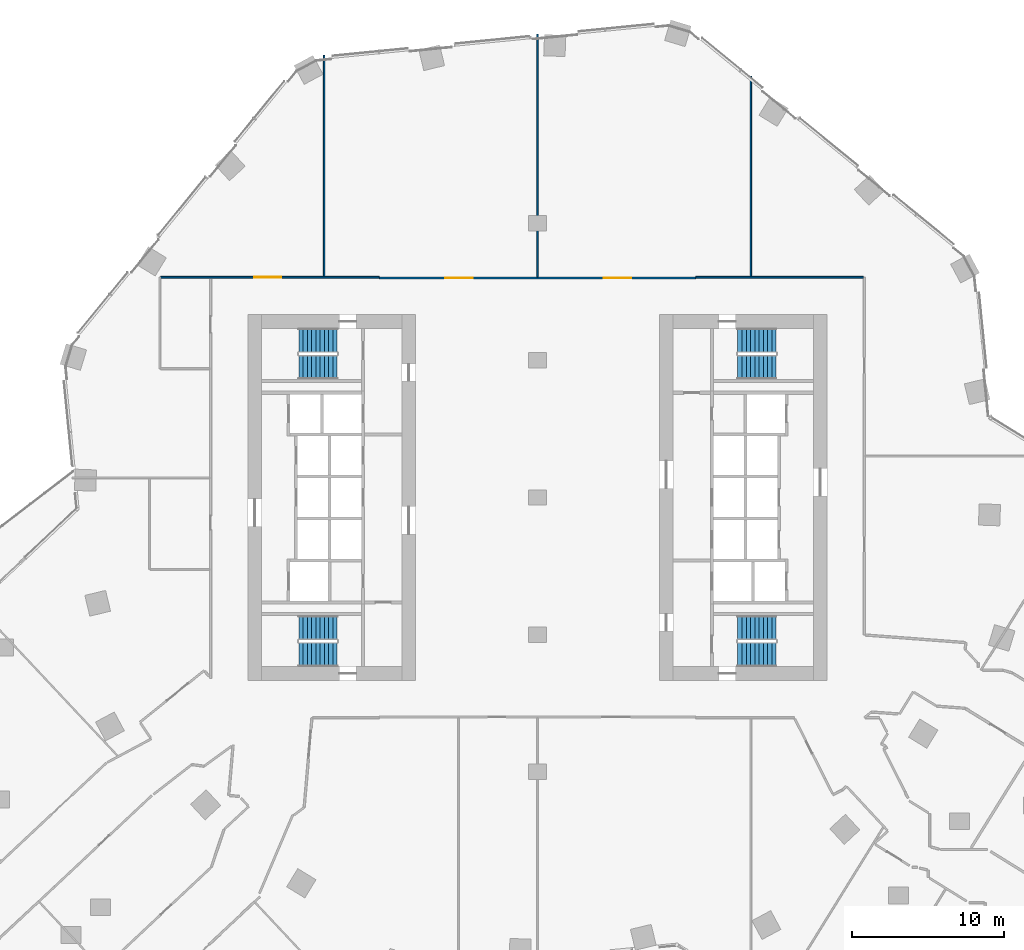
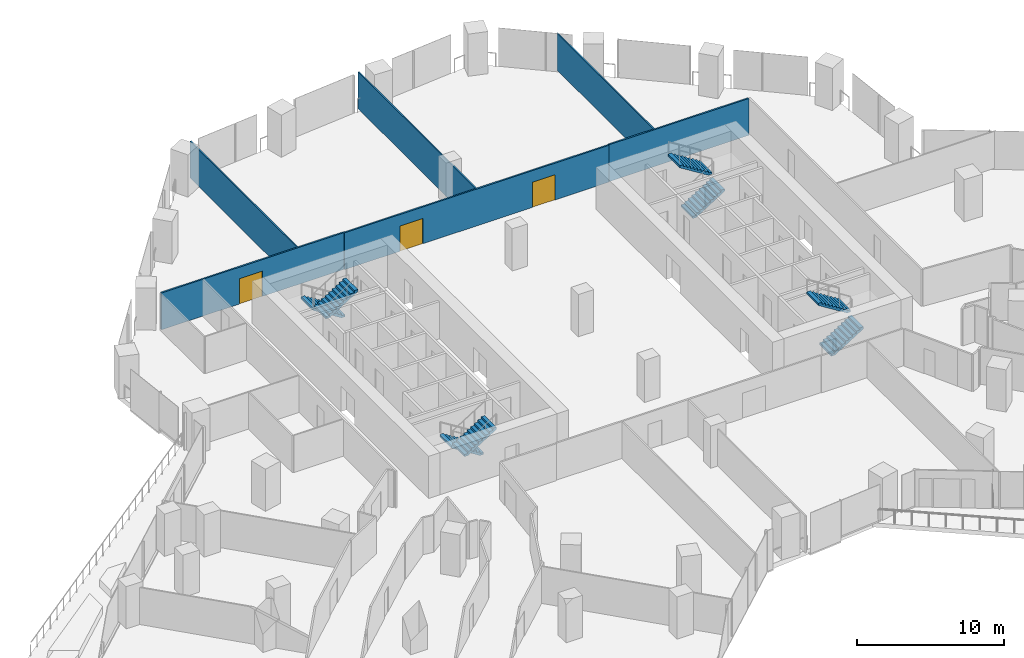
# One storey, part 29 of 34: 8 stair flights, 6 walls, 3 doors, 3 openings, 4 elements without a shape of their own.
"""IFC4 building model written with IfcOpenShell, lengths in metres."""

import ifcopenshell
import ifcopenshell.guid

model = None  # the IFC model being written
_history = None  # IfcOwnerHistory: only IFC2X3 demands one
_inside = {}  # id of a spatial element -> (the spatial element, [elements in it])
_under = {}  # id of a project, library or spatial element -> (it, [spatial elements below it])
_declared = {}  # id of a project -> (the project, [libraries it declares])
_typed = {}  # id of a type object -> (the type object, [elements of that type])
_made_of = {}  # id of a material, layer set ... -> (it, [elements and type objects made of it])


def new_model(schema):
    """Start an empty IFC model of exactly this schema.

    Asked for "IFC4X3", IfcOpenShell would pick the latest addendum, in which some entities
    have other attributes; the version numbers below select the first issue.
    IFC2X3 requires an IfcOwnerHistory on every rooted entity: one is made here for all.
    """
    global model, _history
    if schema == "IFC4X3":
        model = ifcopenshell.file(schema_version=(4, 3, 0, 0))
    else:
        model = ifcopenshell.file(schema=schema)
    _inside.clear()
    _under.clear()
    _declared.clear()
    _typed.clear()
    _made_of.clear()
    _history = None
    if model.schema == "IFC2X3":
        org = make("IfcOrganization", Name="unknown")
        user = make(
            "IfcPersonAndOrganization",
            ThePerson=make("IfcPerson", FamilyName="unknown"),
            TheOrganization=org,
        )
        app = make(
            "IfcApplication",
            ApplicationDeveloper=org,
            Version="unknown",
            ApplicationFullName="unknown",
            ApplicationIdentifier="unknown",
        )
        _history = make(
            "IfcOwnerHistory",
            OwningUser=user,
            OwningApplication=app,
            ChangeAction="ADDED",
            CreationDate=0,
        )
    return model


def make(cls, **values):
    """One entity of the class cls with the attributes given. An attribute that is None is left unset."""
    return model.create_entity(
        cls, **{name: value for name, value in values.items() if value is not None}
    )


def rooted(cls, **values):
    """An entity with a GlobalId (a new one), such as an element, a storey or a relation."""
    return make(cls, GlobalId=ifcopenshell.guid.new(), OwnerHistory=_history, **values)


def si_unit(unit_type, name, prefix=None):
    """IfcSIUnit, for example si_unit("LENGTHUNIT", "METRE", prefix="MILLI")."""
    return make("IfcSIUnit", UnitType=unit_type, Prefix=prefix, Name=name)


def assignment(units):
    """IfcUnitAssignment: the units of a project."""
    return None if units is None else make("IfcUnitAssignment", Units=units)


def point(xyz):
    """IfcCartesianPoint."""
    return None if xyz is None else make("IfcCartesianPoint", Coordinates=xyz)


def direction(xyz):
    """IfcDirection."""
    return None if xyz is None else make("IfcDirection", DirectionRatios=xyz)


def frame(location, z_axis=None, x_axis=None):
    """IfcAxis2Placement3D, a coordinate frame: its origin and axes. An axis left out is left unset."""
    return make(
        "IfcAxis2Placement3D",
        Location=point(location),
        Axis=direction(z_axis),
        RefDirection=direction(x_axis),
    )


def frame_2d(location, x_axis=None):
    """IfcAxis2Placement2D, a coordinate frame in the plane: its origin and x axis."""
    return make(
        "IfcAxis2Placement2D", Location=point(location), RefDirection=direction(x_axis)
    )


def origin():
    """The frame at (0, 0, 0) with its axes left unset."""
    return frame((0.0, 0.0, 0.0))


def place(relative_to, where):
    """IfcLocalPlacement: puts the frame where relative to a parent placement (None: the world)."""
    return make(
        "IfcLocalPlacement", PlacementRelTo=relative_to, RelativePlacement=where
    )


def context(
    kind, dimensions, precision=None, world=None, true_north=None, identifier=None
):
    """IfcGeometricRepresentationContext, for example the 3D "Model" context."""
    return make(
        "IfcGeometricRepresentationContext",
        ContextIdentifier=identifier,
        ContextType=kind,
        CoordinateSpaceDimension=dimensions,
        Precision=precision,
        WorldCoordinateSystem=world,
        TrueNorth=true_north,
    )


def subcontext(parent, identifier, kind, view, scale=None):
    """IfcGeometricRepresentationSubContext, for example "Body" below "Model"."""
    return make(
        "IfcGeometricRepresentationSubContext",
        ContextIdentifier=identifier,
        ContextType=kind,
        ParentContext=parent,
        TargetScale=scale,
        TargetView=view,
    )


def project(units=None, contexts=None):
    """IfcProject with its units and contexts."""
    return rooted(
        "IfcProject",
        Name="project",
        RepresentationContexts=contexts,
        UnitsInContext=assignment(units),
    )


def spatial(cls, under=None, at=None, **own):
    """A site, building, storey or space (cls), placed at a placement, below another one or the project."""
    s = rooted(cls, ObjectPlacement=at, **own)
    if under is not None:
        _under.setdefault(under.id(), (under, []))[1].append(s)
    return s


def polyline(points):
    """IfcPolyline through the points."""
    return make("IfcPolyline", Points=[point(p) for p in points])


def profile(cls, at=None, kind="AREA", **sizes):
    """A parametric profile (cls). Its sizes go by their IFC names, for example OverallWidth=200.0."""
    return make(cls, ProfileType=kind, Position=at, **sizes)


def rectangle(**sizes):
    """IfcRectangleProfileDef."""
    return profile("IfcRectangleProfileDef", **sizes)


def outline(outer, holes=None, kind="AREA"):
    """IfcArbitraryClosedProfileDef: a profile drawn as a closed curve; with holes, ...WithVoids."""
    if holes is None:
        return make("IfcArbitraryClosedProfileDef", ProfileType=kind, OuterCurve=outer)
    return make(
        "IfcArbitraryProfileDefWithVoids",
        ProfileType=kind,
        OuterCurve=outer,
        InnerCurves=holes,
    )


def extrude(swept, where, along, depth):
    """IfcExtrudedAreaSolid: the profile swept, set in the frame where, extruded along a direction by depth."""
    return make(
        "IfcExtrudedAreaSolid",
        SweptArea=swept,
        Position=where,
        ExtrudedDirection=direction(along),
        Depth=depth,
    )


def shape(context_of_items, identifier, shape_type, items):
    """IfcShapeRepresentation: the items that make up one representation, for example the "Body"."""
    return make(
        "IfcShapeRepresentation",
        ContextOfItems=context_of_items,
        RepresentationIdentifier=identifier,
        RepresentationType=shape_type,
        Items=items,
    )


def material(Name=None, Category=None):
    """IfcMaterial."""
    return make("IfcMaterial", Name=Name, Category=Category)


def layer(
    of_material, thickness, ventilated=None, Name=None, Category=None, Priority=None
):
    """IfcMaterialLayer: one layer of a wall or slab, of a material (None: an air gap)."""
    return make(
        "IfcMaterialLayer",
        Material=of_material,
        LayerThickness=thickness,
        IsVentilated=ventilated,
        Name=Name,
        Category=Category,
        Priority=Priority,
    )


def layer_set(layers, Name=None):
    """IfcMaterialLayerSet."""
    return make("IfcMaterialLayerSet", MaterialLayers=layers, LayerSetName=Name)


def made_of(thing, what):
    """Note that an element or type object is made of a material, layer set ...; save() writes the relation."""
    if what is not None:
        _made_of.setdefault(what.id(), (what, []))[1].append(thing)
    return thing


def type_object(cls, material=None, **own):
    """A type object (cls), such as IfcWallType, which elements share."""
    return made_of(rooted(cls, **own), material)


def element(
    cls,
    number,
    at=None,
    inside=None,
    cuts=None,
    type_object=None,
    material=None,
    context=None,
    identifier="Body",
    shape_type=None,
    held_by="IfcProductDefinitionShape",
    body=None,
    shapes=None,
    **own,
):
    """One element of the class cls, such as IfcWall. Its Tag is "e" and its number.

    at: its placement. inside: the storey or other place that contains it. cuts: it is an
    opening in that element (IfcRelVoidsElement). A single representation is given by context,
    identifier, shape_type and body (its items); several are given by shapes. held_by: the class
    of the entity that holds the representations. save() writes the other relations.
    """
    e = rooted(cls, Tag="e%d" % number, ObjectPlacement=at, **own)
    if body is not None:
        shapes = [shape(context, identifier, shape_type, body)]
    if shapes is not None:
        e.Representation = make(held_by, Representations=shapes)
    if inside is not None:
        _inside.setdefault(inside.id(), (inside, []))[1].append(e)
    if cuts is not None:
        rooted(
            "IfcRelVoidsElement", RelatingBuildingElement=cuts, RelatedOpeningElement=e
        )
    if type_object is not None:
        _typed.setdefault(type_object.id(), (type_object, []))[1].append(e)
    return made_of(e, material)


def fill(opening, filler):
    """IfcRelFillsElement: the door or window that sits in an opening."""
    return rooted(
        "IfcRelFillsElement",
        RelatingOpeningElement=opening,
        RelatedBuildingElement=filler,
    )


def aggregate(whole, parts):
    """IfcRelAggregates: a whole, such as a stair, and the parts it consists of."""
    return rooted("IfcRelAggregates", RelatingObject=whole, RelatedObjects=parts)


def save(model, path):
    """Write the relations noted so far, then the file.

    IfcRelAggregates (storeys below a building ...), IfcRelContainedInSpatialStructure (elements
    in a storey), IfcRelDefinesByType, IfcRelAssociatesMaterial and IfcRelDeclares: one each for
    every whole, place, type object, material and project.
    """
    for whole, parts in _under.values():
        aggregate(whole, parts)
    for where, things in _inside.values():
        rooted(
            "IfcRelContainedInSpatialStructure",
            RelatedElements=things,
            RelatingStructure=where,
        )
    for kind, things in _typed.values():
        rooted("IfcRelDefinesByType", RelatedObjects=things, RelatingType=kind)
    for what, things in _made_of.values():
        rooted("IfcRelAssociatesMaterial", RelatedObjects=things, RelatingMaterial=what)
    for by, libraries in _declared.values():
        rooted("IfcRelDeclares", RelatingContext=by, RelatedDefinitions=libraries)
    model.write(path)


model = new_model("IFC4")

# Units and contexts
model_context = context("Model", 3, precision=1e-05, world=origin(), true_north=direction((0.0, 1.0)))
body_context = subcontext(model_context, "Body", "Model", "MODEL_VIEW")
ifc_project = project(units=[si_unit("LENGTHUNIT", "METRE"), si_unit("AREAUNIT", "SQUARE_METRE"), si_unit("VOLUMEUNIT", "CUBIC_METRE"), si_unit("PLANEANGLEUNIT", "RADIAN"), si_unit("MASSUNIT", "GRAM", prefix="KILO")], contexts=[model_context])

# Site, building, storey
site_placement = place(None, origin())
site = spatial("IfcSite", under=ifc_project, at=site_placement, CompositionType="ELEMENT")
building_placement = place(site_placement, origin())
building = spatial("IfcBuilding", under=site, at=building_placement, Name="Orlundy Tower", CompositionType="ELEMENT")
storey_placement = place(building_placement, frame((0.0, 0.0, 37.300048828125)))
storey = spatial("IfcBuildingStorey", under=building, at=storey_placement, Name="L07", CompositionType="ELEMENT", Elevation=37.300048828125)

# Walls
ifc_material_1 = material(Name="Gypsum board partition")
ifc_layer_1 = layer(ifc_material_1, 0.10009765625)
ifc_layer_set_1 = layer_set([ifc_layer_1], Name="Floor partition 100")
wall_type_1 = type_object("IfcWallType", Name="Floor partition 100", PredefinedType="PARTITIONING", material=ifc_layer_set_1)
wall_1_placement = place(storey_placement, frame((14.0, 14.513916015625, 0.0), z_axis=(0.0, 0.0, 1.0), x_axis=(0.0, 1.0, 0.0)))
element("IfcWall", 1, at=wall_1_placement, inside=storey, type_object=wall_type_1, Name="wall-int-L07-116", PredefinedType="PARTITIONING", context=body_context, shape_type="SweptSolid", body=[
    extrude(rectangle(XDim=13.1220703125, YDim=0.10009765625, at=frame_2d((6.56103515625, 0.0))), origin(), (0.0, 0.0, 1.0), 3.06005859375),
])
wall_2_placement = place(storey_placement, frame((0.0, 14.462890625, 0.0), z_axis=(0.0, 0.0, 1.0), x_axis=(0.0, 1.0, 0.0)))
element("IfcWall", 2, at=wall_2_placement, inside=storey, type_object=wall_type_1, Name="wall-int-L07-118", PredefinedType="PARTITIONING", context=body_context, shape_type="SweptSolid", body=[
    extrude(rectangle(XDim=15.93505859375, YDim=0.10009765625, at=frame_2d((7.967529296875, 0.0))), origin(), (0.0, 0.0, 1.0), 3.06005859375),
])
wall_3_placement = place(storey_placement, frame((-14.0, 14.513916015625, 0.0), z_axis=(0.0, 0.0, 1.0), x_axis=(0.0, 1.0, 0.0)))
element("IfcWall", 3, at=wall_3_placement, inside=storey, type_object=wall_type_1, Name="wall-int-L07-120", PredefinedType="PARTITIONING", context=body_context, shape_type="SweptSolid", body=[
    extrude(rectangle(XDim=14.4951171875, YDim=0.10009765625, at=frame_2d((7.24755859375, 0.0))), origin(), (0.0, 0.0, 1.0), 3.06005859375),
])

# Wall, openings, doors
ifc_material_2 = material(Name="Gypsum board partition, double layer")
ifc_layer_2 = layer(ifc_material_2, 0.125)
ifc_layer_set_2 = layer_set([ifc_layer_2], Name="Floor partition 125")
wall_type_2 = type_object("IfcWallType", Name="Floor partition 125", PredefinedType="PARTITIONING", material=ifc_layer_set_2)
wall_4_placement = place(storey_placement, frame((-10.389892578125, 14.40087890625, 0.0), z_axis=(0.0, 0.0, 1.0), x_axis=(1.0, 0.0, 0.0)))
wall_4 = element("IfcWall", 4, at=wall_4_placement, inside=storey, type_object=wall_type_2, Name="wall-int-L07-060", PredefinedType="PARTITIONING", context=body_context, shape_type="SweptSolid", body=[
    extrude(rectangle(XDim=20.781005859375, YDim=0.125, at=frame_2d((10.390625, 0.0))), origin(), (0.0, 0.0, 1.0), 3.06005859375),
])
opening_1_placement = place(wall_4_placement, frame((14.739990234375, 0.0, 0.0)))
opening_1 = element("IfcOpeningElement", 5, at=opening_1_placement, cuts=wall_4, Name="Opening 08129", PredefinedType="OPENING", context=body_context, shape_type="SweptSolid", body=[
    extrude(rectangle(XDim=1.800048828125, YDim=2.10009765625, at=frame_2d((0.89990234375, 1.050048828125))), frame((0.0, 0.072509765625, 0.0), z_axis=(0.0, -1.0, 0.0), x_axis=(1.0, 0.0, 0.0)), (0.0, 0.0, 1.0), 0.14501953125),
])
opening_2_placement = place(wall_4_placement, frame((4.35009765625, 0.0, 0.0)))
opening_2 = element("IfcOpeningElement", 6, at=opening_2_placement, cuts=wall_4, Name="Opening 08130", PredefinedType="OPENING", context=body_context, shape_type="SweptSolid", body=[
    extrude(rectangle(XDim=1.800048828125, YDim=2.10009765625, at=frame_2d((0.89990234375, 1.050048828125))), frame((0.0, 0.072509765625, 0.0), z_axis=(0.0, -1.0, 0.0), x_axis=(1.0, 0.0, 0.0)), (0.0, 0.0, 1.0), 0.14501953125),
])
ifc_material_3 = material(Name="Timber door leaf", Category="wood")
door_type = type_object("IfcDoorType", Name="Floor door double 1800 FD30S", OperationType="NOTDEFINED", PredefinedType="DOOR", material=ifc_material_3)
door_1_placement = place(opening_1_placement, origin())
door_1 = element("IfcDoor", 7, at=door_1_placement, inside=storey, type_object=door_type, Name="Door 08129", OperationType="DOUBLE_DOOR_SINGLE_SWING", OverallHeight=2.10009765625, OverallWidth=1.800048828125, PredefinedType="DOOR", context=body_context, shape_type="SweptSolid", body=[
    extrude(rectangle(XDim=1.800048828125, YDim=2.10009765625, at=frame_2d((0.89990234375, 1.050048828125))), frame((0.0, 0.02490234375, 0.0), z_axis=(0.0, -1.0, 0.0), x_axis=(1.0, 0.0, 0.0)), (0.0, 0.0, 1.0), 0.050048828125),
])
fill(opening_1, door_1)
door_2_placement = place(opening_2_placement, origin())
door_2 = element("IfcDoor", 8, at=door_2_placement, inside=storey, type_object=door_type, Name="Door 08130", OperationType="DOUBLE_DOOR_SINGLE_SWING", OverallHeight=2.10009765625, OverallWidth=1.800048828125, PredefinedType="DOOR", context=body_context, shape_type="SweptSolid", body=[
    extrude(rectangle(XDim=1.800048828125, YDim=2.10009765625, at=frame_2d((0.89990234375, 1.050048828125))), frame((0.0, 0.02490234375, 0.0), z_axis=(0.0, -1.0, 0.0), x_axis=(1.0, 0.0, 0.0)), (0.0, 0.0, 1.0), 0.050048828125),
])
fill(opening_2, door_2)

# Wall, opening, door
wall_5_placement = place(storey_placement, frame((-24.73095703125, 14.449951171875, 0.0), z_axis=(0.0, 0.0, 1.0), x_axis=(1.0, 0.0, 0.0)))
wall_5 = element("IfcWall", 9, at=wall_5_placement, inside=storey, type_object=wall_type_2, Name="wall-int-L07-061", PredefinedType="PARTITIONING", context=body_context, shape_type="SweptSolid", body=[
    extrude(rectangle(XDim=14.33984375, YDim=0.125, at=frame_2d((7.169921875, 0.0))), origin(), (0.0, 0.0, 1.0), 3.06005859375),
])
opening_3_placement = place(wall_5_placement, frame((6.131103515625, 0.0, 0.0)))
opening_3 = element("IfcOpeningElement", 10, at=opening_3_placement, cuts=wall_5, Name="Opening 08131", PredefinedType="OPENING", context=body_context, shape_type="SweptSolid", body=[
    extrude(rectangle(XDim=1.800048828125, YDim=2.10009765625, at=frame_2d((0.89990234375, 1.050048828125))), frame((0.0, 0.072509765625, 0.0), z_axis=(0.0, -1.0, 0.0), x_axis=(1.0, 0.0, 0.0)), (0.0, 0.0, 1.0), 0.14501953125),
])
door_3_placement = place(opening_3_placement, origin())
door_3 = element("IfcDoor", 11, at=door_3_placement, inside=storey, type_object=door_type, Name="Door 08131", OperationType="DOUBLE_DOOR_SINGLE_SWING", OverallHeight=2.10009765625, OverallWidth=1.800048828125, PredefinedType="DOOR", context=body_context, shape_type="SweptSolid", body=[
    extrude(rectangle(XDim=1.800048828125, YDim=2.10009765625, at=frame_2d((0.89990234375, 1.050048828125))), frame((0.0, 0.02490234375, 0.0), z_axis=(0.0, -1.0, 0.0), x_axis=(1.0, 0.0, 0.0)), (0.0, 0.0, 1.0), 0.050048828125),
])
fill(opening_3, door_3)

# Wall
wall_6_placement = place(storey_placement, frame((10.39111328125, 14.450927734375, 0.0), z_axis=(0.0, 0.0, 1.0), x_axis=(1.0, 0.0, 0.0)))
element("IfcWall", 12, at=wall_6_placement, inside=storey, type_object=wall_type_2, Name="wall-int-L07-062", PredefinedType="PARTITIONING", context=body_context, shape_type="SweptSolid", body=[
    extrude(rectangle(XDim=10.995849609375, YDim=0.125, at=frame_2d((5.498046875, 0.0))), origin(), (0.0, 0.0, 1.0), 3.06005859375),
])

# Stair, stair flights
ifc_material_4 = material(Name="Concrete C50/60", Category="concrete")
stair_type = type_object("IfcStairType", Name="Exit Stair 20 risers", PredefinedType="HALF_TURN_STAIR", material=ifc_material_4)
stair_1_placement = place(storey_placement, origin())
stair_1 = element("IfcStair", 13, at=stair_1_placement, inside=storey, type_object=stair_type, Name="L07 Exit Stair ST-W1", PredefinedType="HALF_TURN_STAIR")
ifc_material_5 = material(Name="Concrete C50/60", Category="concrete")
stair_flight_type = type_object("IfcStairFlightType", Name="Stair Flight 10 risers", PredefinedType="STRAIGHT", material=ifc_material_5)
stair_flight_1_placement = place(storey_placement, frame((-13.139892578125, 10.300048828125, 0.0), z_axis=(0.0, 0.0, 1.0), x_axis=(-1.0, 0.0, 0.0)))
stair_flight_1 = element("IfcStairFlight", 14, at=stair_flight_1_placement, type_object=stair_flight_type, Name="ST-W1 flight 1", NumberOfRisers=10, NumberOfTreads=9, PredefinedType="STRAIGHT", RiserHeight=0.175, TreadLength=0.28, context=body_context, shape_type="SweptSolid", body=[
    extrude(outline(polyline([(0.0, 0.0), (0.0, 0.175048828125), (0.280029296875, 0.175048828125), (0.280029296875, 0.35009765625), (0.56005859375, 0.35009765625), (0.56005859375, 0.52490234375), (0.840087890625, 0.52490234375), (0.840087890625, 0.699951171875), (1.1201171875, 0.699951171875), (1.1201171875, 0.875), (1.39990234375, 0.875), (1.39990234375, 1.050048828125), (1.679931640625, 1.050048828125), (1.679931640625, 1.22509765625), (1.9599609375, 1.22509765625), (1.9599609375, 1.39990234375), (2.239990234375, 1.39990234375), (2.239990234375, 1.574951171875), (2.52001953125, 1.574951171875), (2.52001953125, 1.75), (2.52001953125, 1.398193359375), (0.28271484375, 0.0), (0.0, 0.0)])), frame((0.0, 0.800048828125, 0.0), z_axis=(0.0, -1.0, 0.0), x_axis=(1.0, 0.0, 0.0)), (0.0, 0.0, 1.0), 1.60009765625),
])
stair_flight_2_placement = place(storey_placement, frame((-15.659912109375, 8.550048828125, 1.75), z_axis=(0.0, 0.0, 1.0), x_axis=(1.0, 0.0, 0.0)))
stair_flight_2 = element("IfcStairFlight", 15, at=stair_flight_2_placement, type_object=stair_flight_type, Name="ST-W1 flight 2", NumberOfRisers=10, NumberOfTreads=9, PredefinedType="STRAIGHT", RiserHeight=0.175, TreadLength=0.28, context=body_context, shape_type="SweptSolid", body=[
    extrude(outline(polyline([(0.0, 0.0), (0.0, 0.175048828125), (0.280029296875, 0.175048828125), (0.280029296875, 0.35009765625), (0.56005859375, 0.35009765625), (0.56005859375, 0.52490234375), (0.840087890625, 0.52490234375), (0.840087890625, 0.699951171875), (1.1201171875, 0.699951171875), (1.1201171875, 0.875), (1.39990234375, 0.875), (1.39990234375, 1.050048828125), (1.679931640625, 1.050048828125), (1.679931640625, 1.22509765625), (1.9599609375, 1.22509765625), (1.9599609375, 1.39990234375), (2.239990234375, 1.39990234375), (2.239990234375, 1.574951171875), (2.52001953125, 1.574951171875), (2.52001953125, 1.75), (2.52001953125, 1.398193359375), (0.28271484375, 0.0), (0.0, 0.0)])), frame((0.0, 0.800048828125, 0.0), z_axis=(0.0, -1.0, 0.0), x_axis=(1.0, 0.0, 0.0)), (0.0, 0.0, 1.0), 1.60009765625),
])
aggregate(stair_1, [stair_flight_1, stair_flight_2])

stair_2_placement = place(storey_placement, origin())
stair_2 = element("IfcStair", 16, at=stair_2_placement, inside=storey, type_object=stair_type, Name="L07 Exit Stair ST-W2", PredefinedType="HALF_TURN_STAIR")
stair_flight_3_placement = place(storey_placement, frame((-13.139892578125, -8.550048828125, 0.0), z_axis=(0.0, 0.0, 1.0), x_axis=(-1.0, 0.0, 0.0)))
stair_flight_3 = element("IfcStairFlight", 17, at=stair_flight_3_placement, type_object=stair_flight_type, Name="ST-W2 flight 1", NumberOfRisers=10, NumberOfTreads=9, PredefinedType="STRAIGHT", RiserHeight=0.175, TreadLength=0.28, context=body_context, shape_type="SweptSolid", body=[
    extrude(outline(polyline([(0.0, 0.0), (0.0, 0.175048828125), (0.280029296875, 0.175048828125), (0.280029296875, 0.35009765625), (0.56005859375, 0.35009765625), (0.56005859375, 0.52490234375), (0.840087890625, 0.52490234375), (0.840087890625, 0.699951171875), (1.1201171875, 0.699951171875), (1.1201171875, 0.875), (1.39990234375, 0.875), (1.39990234375, 1.050048828125), (1.679931640625, 1.050048828125), (1.679931640625, 1.22509765625), (1.9599609375, 1.22509765625), (1.9599609375, 1.39990234375), (2.239990234375, 1.39990234375), (2.239990234375, 1.574951171875), (2.52001953125, 1.574951171875), (2.52001953125, 1.75), (2.52001953125, 1.398193359375), (0.28271484375, 0.0), (0.0, 0.0)])), frame((0.0, 0.800048828125, 0.0), z_axis=(0.0, -1.0, 0.0), x_axis=(1.0, 0.0, 0.0)), (0.0, 0.0, 1.0), 1.60009765625),
])
stair_flight_4_placement = place(storey_placement, frame((-15.659912109375, -10.300048828125, 1.75), z_axis=(0.0, 0.0, 1.0), x_axis=(1.0, 0.0, 0.0)))
stair_flight_4 = element("IfcStairFlight", 18, at=stair_flight_4_placement, type_object=stair_flight_type, Name="ST-W2 flight 2", NumberOfRisers=10, NumberOfTreads=9, PredefinedType="STRAIGHT", RiserHeight=0.175, TreadLength=0.28, context=body_context, shape_type="SweptSolid", body=[
    extrude(outline(polyline([(0.0, 0.0), (0.0, 0.175048828125), (0.280029296875, 0.175048828125), (0.280029296875, 0.35009765625), (0.56005859375, 0.35009765625), (0.56005859375, 0.52490234375), (0.840087890625, 0.52490234375), (0.840087890625, 0.699951171875), (1.1201171875, 0.699951171875), (1.1201171875, 0.875), (1.39990234375, 0.875), (1.39990234375, 1.050048828125), (1.679931640625, 1.050048828125), (1.679931640625, 1.22509765625), (1.9599609375, 1.22509765625), (1.9599609375, 1.39990234375), (2.239990234375, 1.39990234375), (2.239990234375, 1.574951171875), (2.52001953125, 1.574951171875), (2.52001953125, 1.75), (2.52001953125, 1.398193359375), (0.28271484375, 0.0), (0.0, 0.0)])), frame((0.0, 0.800048828125, 0.0), z_axis=(0.0, -1.0, 0.0), x_axis=(1.0, 0.0, 0.0)), (0.0, 0.0, 1.0), 1.60009765625),
])
aggregate(stair_2, [stair_flight_3, stair_flight_4])

stair_3_placement = place(storey_placement, origin())
stair_3 = element("IfcStair", 19, at=stair_3_placement, inside=storey, type_object=stair_type, Name="L07 Exit Stair ST-E1", PredefinedType="HALF_TURN_STAIR")
stair_flight_5_placement = place(storey_placement, frame((13.139892578125, -10.300048828125, 0.0), z_axis=(0.0, 0.0, 1.0), x_axis=(1.0, 0.0, 0.0)))
stair_flight_5 = element("IfcStairFlight", 20, at=stair_flight_5_placement, type_object=stair_flight_type, Name="ST-E1 flight 1", NumberOfRisers=10, NumberOfTreads=9, PredefinedType="STRAIGHT", RiserHeight=0.175, TreadLength=0.28, context=body_context, shape_type="SweptSolid", body=[
    extrude(outline(polyline([(0.0, 0.0), (0.0, 0.175048828125), (0.280029296875, 0.175048828125), (0.280029296875, 0.35009765625), (0.56005859375, 0.35009765625), (0.56005859375, 0.52490234375), (0.840087890625, 0.52490234375), (0.840087890625, 0.699951171875), (1.1201171875, 0.699951171875), (1.1201171875, 0.875), (1.39990234375, 0.875), (1.39990234375, 1.050048828125), (1.679931640625, 1.050048828125), (1.679931640625, 1.22509765625), (1.9599609375, 1.22509765625), (1.9599609375, 1.39990234375), (2.239990234375, 1.39990234375), (2.239990234375, 1.574951171875), (2.52001953125, 1.574951171875), (2.52001953125, 1.75), (2.52001953125, 1.398193359375), (0.28271484375, 0.0), (0.0, 0.0)])), frame((0.0, 0.800048828125, 0.0), z_axis=(0.0, -1.0, 0.0), x_axis=(1.0, 0.0, 0.0)), (0.0, 0.0, 1.0), 1.60009765625),
])
stair_flight_6_placement = place(storey_placement, frame((15.659912109375, -8.550048828125, 1.75), z_axis=(0.0, 0.0, 1.0), x_axis=(-1.0, 0.0, 0.0)))
stair_flight_6 = element("IfcStairFlight", 21, at=stair_flight_6_placement, type_object=stair_flight_type, Name="ST-E1 flight 2", NumberOfRisers=10, NumberOfTreads=9, PredefinedType="STRAIGHT", RiserHeight=0.175, TreadLength=0.28, context=body_context, shape_type="SweptSolid", body=[
    extrude(outline(polyline([(0.0, 0.0), (0.0, 0.175048828125), (0.280029296875, 0.175048828125), (0.280029296875, 0.35009765625), (0.56005859375, 0.35009765625), (0.56005859375, 0.52490234375), (0.840087890625, 0.52490234375), (0.840087890625, 0.699951171875), (1.1201171875, 0.699951171875), (1.1201171875, 0.875), (1.39990234375, 0.875), (1.39990234375, 1.050048828125), (1.679931640625, 1.050048828125), (1.679931640625, 1.22509765625), (1.9599609375, 1.22509765625), (1.9599609375, 1.39990234375), (2.239990234375, 1.39990234375), (2.239990234375, 1.574951171875), (2.52001953125, 1.574951171875), (2.52001953125, 1.75), (2.52001953125, 1.398193359375), (0.28271484375, 0.0), (0.0, 0.0)])), frame((0.0, 0.800048828125, 0.0), z_axis=(0.0, -1.0, 0.0), x_axis=(1.0, 0.0, 0.0)), (0.0, 0.0, 1.0), 1.60009765625),
])
aggregate(stair_3, [stair_flight_5, stair_flight_6])

stair_4_placement = place(storey_placement, origin())
stair_4 = element("IfcStair", 22, at=stair_4_placement, inside=storey, type_object=stair_type, Name="L07 Exit Stair ST-E2", PredefinedType="HALF_TURN_STAIR")
stair_flight_7_placement = place(storey_placement, frame((13.139892578125, 8.550048828125, 0.0), z_axis=(0.0, 0.0, 1.0), x_axis=(1.0, 0.0, 0.0)))
stair_flight_7 = element("IfcStairFlight", 23, at=stair_flight_7_placement, type_object=stair_flight_type, Name="ST-E2 flight 1", NumberOfRisers=10, NumberOfTreads=9, PredefinedType="STRAIGHT", RiserHeight=0.175, TreadLength=0.28, context=body_context, shape_type="SweptSolid", body=[
    extrude(outline(polyline([(0.0, 0.0), (0.0, 0.175048828125), (0.280029296875, 0.175048828125), (0.280029296875, 0.35009765625), (0.56005859375, 0.35009765625), (0.56005859375, 0.52490234375), (0.840087890625, 0.52490234375), (0.840087890625, 0.699951171875), (1.1201171875, 0.699951171875), (1.1201171875, 0.875), (1.39990234375, 0.875), (1.39990234375, 1.050048828125), (1.679931640625, 1.050048828125), (1.679931640625, 1.22509765625), (1.9599609375, 1.22509765625), (1.9599609375, 1.39990234375), (2.239990234375, 1.39990234375), (2.239990234375, 1.574951171875), (2.52001953125, 1.574951171875), (2.52001953125, 1.75), (2.52001953125, 1.398193359375), (0.28271484375, 0.0), (0.0, 0.0)])), frame((0.0, 0.800048828125, 0.0), z_axis=(0.0, -1.0, 0.0), x_axis=(1.0, 0.0, 0.0)), (0.0, 0.0, 1.0), 1.60009765625),
])
stair_flight_8_placement = place(storey_placement, frame((15.659912109375, 10.300048828125, 1.75), z_axis=(0.0, 0.0, 1.0), x_axis=(-1.0, 0.0, 0.0)))
stair_flight_8 = element("IfcStairFlight", 24, at=stair_flight_8_placement, type_object=stair_flight_type, Name="ST-E2 flight 2", NumberOfRisers=10, NumberOfTreads=9, PredefinedType="STRAIGHT", RiserHeight=0.175, TreadLength=0.28, context=body_context, shape_type="SweptSolid", body=[
    extrude(outline(polyline([(0.0, 0.0), (0.0, 0.175048828125), (0.280029296875, 0.175048828125), (0.280029296875, 0.35009765625), (0.56005859375, 0.35009765625), (0.56005859375, 0.52490234375), (0.840087890625, 0.52490234375), (0.840087890625, 0.699951171875), (1.1201171875, 0.699951171875), (1.1201171875, 0.875), (1.39990234375, 0.875), (1.39990234375, 1.050048828125), (1.679931640625, 1.050048828125), (1.679931640625, 1.22509765625), (1.9599609375, 1.22509765625), (1.9599609375, 1.39990234375), (2.239990234375, 1.39990234375), (2.239990234375, 1.574951171875), (2.52001953125, 1.574951171875), (2.52001953125, 1.75), (2.52001953125, 1.398193359375), (0.28271484375, 0.0), (0.0, 0.0)])), frame((0.0, 0.800048828125, 0.0), z_axis=(0.0, -1.0, 0.0), x_axis=(1.0, 0.0, 0.0)), (0.0, 0.0, 1.0), 1.60009765625),
])
aggregate(stair_4, [stair_flight_7, stair_flight_8])

save(model, "model.ifc")
